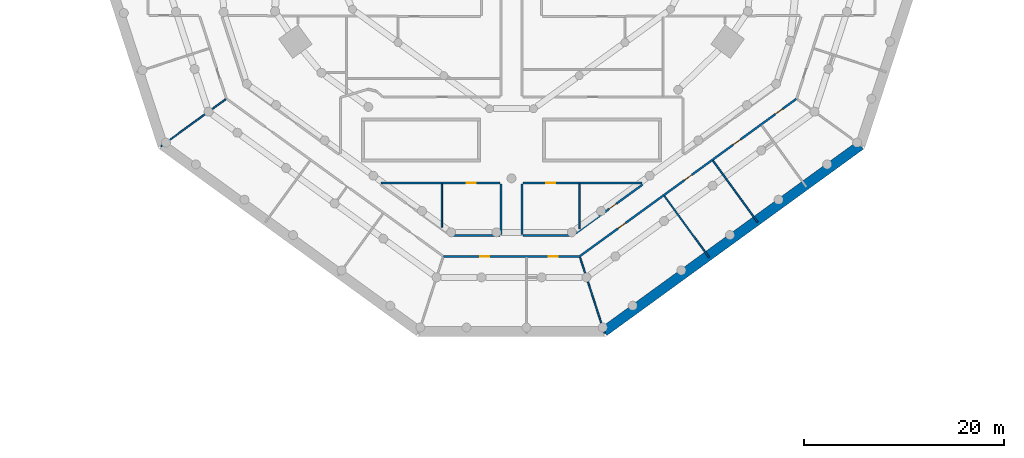
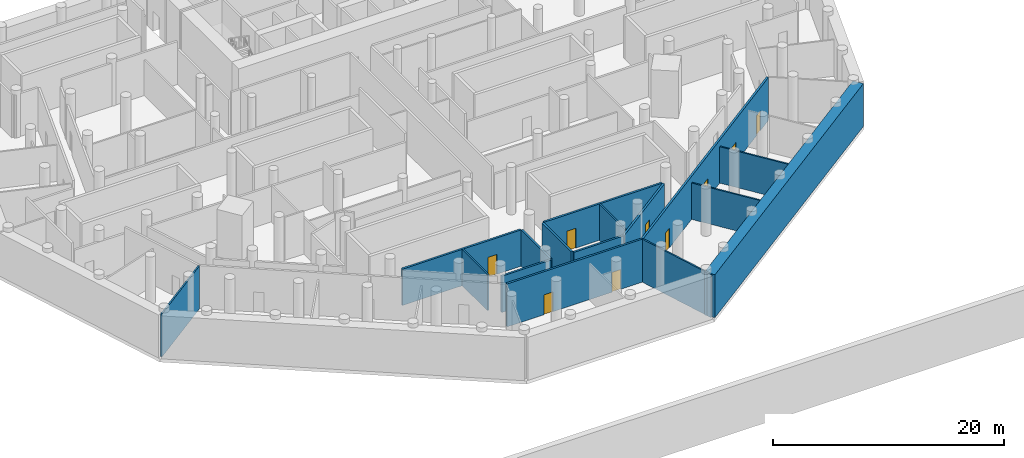
# One storey, part 5 of 10: 16 walls, 9 doors, 9 openings.
"""IFC4 building model written with IfcOpenShell, lengths in metres."""

from ifc_helpers import new_model, si_unit, direction, frame, frame_2d, origin, place, context, subcontext, project, spatial, rectangle, extrude, material, layer, layer_set, type_object, element, fill, save


model = new_model("IFC4")

# Units and contexts
model_context = context("Model", 3, precision=1e-05, world=origin(), true_north=direction((0.0, 1.0)))
body_context = subcontext(model_context, "Body", "Model", "MODEL_VIEW")
ifc_project = project(units=[si_unit("LENGTHUNIT", "METRE"), si_unit("AREAUNIT", "SQUARE_METRE"), si_unit("VOLUMEUNIT", "CUBIC_METRE"), si_unit("PLANEANGLEUNIT", "RADIAN"), si_unit("MASSUNIT", "GRAM", prefix="KILO")], contexts=[model_context])

# Site, building, storey
site_placement = place(None, origin())
site = spatial("IfcSite", under=ifc_project, at=site_placement, CompositionType="ELEMENT")
building_placement = place(site_placement, origin())
building = spatial("IfcBuilding", under=site, at=building_placement, Name="White Candle Pilgrim Tower", CompositionType="ELEMENT")
storey_placement = place(building_placement, frame((0.0, 0.0, -5.0)))
storey = spatial("IfcBuildingStorey", under=building, at=storey_placement, Name="B1", CompositionType="ELEMENT", Elevation=-5.0)

# Wall, openings, doors
ifc_material_1 = material(Name="Gypsum board on steel studs", Category="steel")
ifc_layer_1 = layer(ifc_material_1, 0.199951171875)
ifc_layer_set_1 = layer_set([ifc_layer_1], Name="Corridor wall 200 mm EI 45")
wall_type_1 = type_object("IfcWallType", Name="Corridor wall 200 mm EI 45", PredefinedType="PARTITIONING", material=ifc_layer_set_1)
wall_1_placement = place(storey_placement, frame((98.437255859375, 47.578857421875, 0.0), z_axis=(0.0, 0.0, 1.0), x_axis=(-0.809016646189, -0.587785731529, 0.0)))
wall_1 = element("IfcWall", 1, at=wall_1_placement, inside=storey, type_object=wall_type_1, Name="WL-B1-P021", PredefinedType="PARTITIONING", context=body_context, shape_type="SweptSolid", body=[
    extrude(rectangle(XDim=26.708251953125, YDim=0.199951171875, at=frame_2d((13.35400390625, 0.0))), origin(), (0.0, 0.0, 1.0), 4.550048828125),
])
opening_1_placement = place(wall_1_placement, frame((21.097412109375, 0.0, 0.0)))
opening_1 = element("IfcOpeningElement", 2, at=opening_1_placement, cuts=wall_1, Name="Opening B1-112", PredefinedType="OPENING", context=body_context, shape_type="SweptSolid", body=[
    extrude(rectangle(XDim=0.89990234375, YDim=2.10009765625, at=frame_2d((0.449951171875, 1.050048828125))), frame((0.0, 0.10986328125, 0.0), z_axis=(0.0, -1.0, 0.0), x_axis=(1.0, 0.0, 0.0)), (0.0, 0.0, 1.0), 0.219970703125),
])
opening_2_placement = place(wall_1_placement, frame((12.904052734375, 0.0, 0.0)))
opening_2 = element("IfcOpeningElement", 3, at=opening_2_placement, cuts=wall_1, Name="Opening B1-113", PredefinedType="OPENING", context=body_context, shape_type="SweptSolid", body=[
    extrude(rectangle(XDim=0.89990234375, YDim=2.10009765625, at=frame_2d((0.449951171875, 1.050048828125))), frame((0.0, 0.10986328125, 0.0), z_axis=(0.0, -1.0, 0.0), x_axis=(1.0, 0.0, 0.0)), (0.0, 0.0, 1.0), 0.219970703125),
])
opening_3_placement = place(wall_1_placement, frame((6.904052734375, 0.0, 0.0)))
opening_3 = element("IfcOpeningElement", 4, at=opening_3_placement, cuts=wall_1, Name="Opening B1-114", PredefinedType="OPENING", context=body_context, shape_type="SweptSolid", body=[
    extrude(rectangle(XDim=0.89990234375, YDim=2.10009765625, at=frame_2d((0.449951171875, 1.050048828125))), frame((0.0, 0.10986328125, 0.0), z_axis=(0.0, -1.0, 0.0), x_axis=(1.0, 0.0, 0.0)), (0.0, 0.0, 1.0), 0.219970703125),
])
opening_4_placement = place(wall_1_placement, frame((1.710693359375, 0.0, 0.0)))
opening_4 = element("IfcOpeningElement", 5, at=opening_4_placement, cuts=wall_1, Name="Opening B1-115", PredefinedType="OPENING", context=body_context, shape_type="SweptSolid", body=[
    extrude(rectangle(XDim=0.89990234375, YDim=2.10009765625, at=frame_2d((0.449951171875, 1.050048828125))), frame((0.0, 0.10986328125, 0.0), z_axis=(0.0, -1.0, 0.0), x_axis=(1.0, 0.0, 0.0)), (0.0, 0.0, 1.0), 0.219970703125),
])
ifc_material_2 = material(Name="Steel door leaf", Category="steel")
door_type = type_object("IfcDoorType", Name="Fire door 900 x 2100 EI 30", OperationType="NOTDEFINED", PredefinedType="DOOR", material=ifc_material_2)
door_1_placement = place(opening_1_placement, origin())
door_1 = element("IfcDoor", 6, at=door_1_placement, inside=storey, type_object=door_type, Name="Door B1-112", OperationType="SINGLE_SWING_RIGHT", OverallHeight=2.10009765625, OverallWidth=0.89990234375, PredefinedType="DOOR", context=body_context, shape_type="SweptSolid", body=[
    extrude(rectangle(XDim=0.89990234375, YDim=2.10009765625, at=frame_2d((0.449951171875, 1.050048828125))), frame((0.0, 0.02490234375, 0.0), z_axis=(0.0, -1.0, 0.0), x_axis=(1.0, 0.0, 0.0)), (0.0, 0.0, 1.0), 0.050048828125),
])
fill(opening_1, door_1)
door_2_placement = place(opening_2_placement, origin())
door_2 = element("IfcDoor", 7, at=door_2_placement, inside=storey, type_object=door_type, Name="Door B1-113", OperationType="SINGLE_SWING_LEFT", OverallHeight=2.10009765625, OverallWidth=0.89990234375, PredefinedType="DOOR", context=body_context, shape_type="SweptSolid", body=[
    extrude(rectangle(XDim=0.89990234375, YDim=2.10009765625, at=frame_2d((0.449951171875, 1.050048828125))), frame((0.0, 0.02490234375, 0.0), z_axis=(0.0, -1.0, 0.0), x_axis=(1.0, 0.0, 0.0)), (0.0, 0.0, 1.0), 0.050048828125),
])
fill(opening_2, door_2)
door_3_placement = place(opening_3_placement, origin())
door_3 = element("IfcDoor", 8, at=door_3_placement, inside=storey, type_object=door_type, Name="Door B1-114", OperationType="SINGLE_SWING_RIGHT", OverallHeight=2.10009765625, OverallWidth=0.89990234375, PredefinedType="DOOR", context=body_context, shape_type="SweptSolid", body=[
    extrude(rectangle(XDim=0.89990234375, YDim=2.10009765625, at=frame_2d((0.449951171875, 1.050048828125))), frame((0.0, 0.02490234375, 0.0), z_axis=(0.0, -1.0, 0.0), x_axis=(1.0, 0.0, 0.0)), (0.0, 0.0, 1.0), 0.050048828125),
])
fill(opening_3, door_3)
door_4_placement = place(opening_4_placement, origin())
door_4 = element("IfcDoor", 9, at=door_4_placement, inside=storey, type_object=door_type, Name="Door B1-115", OperationType="SINGLE_SWING_LEFT", OverallHeight=2.10009765625, OverallWidth=0.89990234375, PredefinedType="DOOR", context=body_context, shape_type="SweptSolid", body=[
    extrude(rectangle(XDim=0.89990234375, YDim=2.10009765625, at=frame_2d((0.449951171875, 1.050048828125))), frame((0.0, 0.02490234375, 0.0), z_axis=(0.0, -1.0, 0.0), x_axis=(1.0, 0.0, 0.0)), (0.0, 0.0, 1.0), 0.050048828125),
])
fill(opening_4, door_4)

wall_2_placement = place(storey_placement, frame((76.77099609375, 31.861083984375, 0.0), z_axis=(0.0, 0.0, 1.0), x_axis=(-1.0, 0.0, 0.0)))
wall_2 = element("IfcWall", 10, at=wall_2_placement, inside=storey, type_object=wall_type_1, Name="WL-B1-P022", PredefinedType="PARTITIONING", context=body_context, shape_type="SweptSolid", body=[
    extrude(rectangle(XDim=13.5419921875, YDim=0.199951171875, at=frame_2d((6.77099609375, 0.0))), origin(), (0.0, 0.0, 1.0), 4.550048828125),
])
opening_5_placement = place(wall_2_placement, frame((8.972900390625, 0.0, 0.0)))
opening_5 = element("IfcOpeningElement", 11, at=opening_5_placement, cuts=wall_2, Name="Opening B1-110", PredefinedType="OPENING", context=body_context, shape_type="SweptSolid", body=[
    extrude(rectangle(XDim=0.89990234375, YDim=2.10009765625, at=frame_2d((0.449951171875, 1.050048828125))), frame((0.0, 0.10986328125, 0.0), z_axis=(0.0, -1.0, 0.0), x_axis=(1.0, 0.0, 0.0)), (0.0, 0.0, 1.0), 0.219970703125),
])
opening_6_placement = place(wall_2_placement, frame((2.169189453125, 0.0, 0.0)))
opening_6 = element("IfcOpeningElement", 12, at=opening_6_placement, cuts=wall_2, Name="Opening B1-111", PredefinedType="OPENING", context=body_context, shape_type="SweptSolid", body=[
    extrude(rectangle(XDim=0.89990234375, YDim=2.10009765625, at=frame_2d((0.449951171875, 1.050048828125))), frame((0.0, 0.10986328125, 0.0), z_axis=(0.0, -1.0, 0.0), x_axis=(1.0, 0.0, 0.0)), (0.0, 0.0, 1.0), 0.219970703125),
])
door_5_placement = place(opening_5_placement, origin())
door_5 = element("IfcDoor", 13, at=door_5_placement, inside=storey, type_object=door_type, Name="Door B1-110", OperationType="SINGLE_SWING_RIGHT", OverallHeight=2.10009765625, OverallWidth=0.89990234375, PredefinedType="DOOR", context=body_context, shape_type="SweptSolid", body=[
    extrude(rectangle(XDim=0.89990234375, YDim=2.10009765625, at=frame_2d((0.449951171875, 1.050048828125))), frame((0.0, 0.02490234375, 0.0), z_axis=(0.0, -1.0, 0.0), x_axis=(1.0, 0.0, 0.0)), (0.0, 0.0, 1.0), 0.050048828125),
])
fill(opening_5, door_5)
door_6_placement = place(opening_6_placement, origin())
door_6 = element("IfcDoor", 14, at=door_6_placement, inside=storey, type_object=door_type, Name="Door B1-111", OperationType="SINGLE_SWING_LEFT", OverallHeight=2.10009765625, OverallWidth=0.89990234375, PredefinedType="DOOR", context=body_context, shape_type="SweptSolid", body=[
    extrude(rectangle(XDim=0.89990234375, YDim=2.10009765625, at=frame_2d((0.449951171875, 1.050048828125))), frame((0.0, 0.02490234375, 0.0), z_axis=(0.0, -1.0, 0.0), x_axis=(1.0, 0.0, 0.0)), (0.0, 0.0, 1.0), 0.050048828125),
])
fill(opening_6, door_6)

# Wall, opening, door
wall_3_placement = place(storey_placement, frame((76.147705078125, 33.980224609375, 0.0), z_axis=(0.0, 0.0, 1.0), x_axis=(0.809015553327, 0.58778723572, 0.0)))
wall_3 = element("IfcWall", 15, at=wall_3_placement, inside=storey, type_object=wall_type_1, Name="WL-B1-P036", PredefinedType="PARTITIONING", context=body_context, shape_type="SweptSolid", body=[
    extrude(rectangle(XDim=8.572509765625, YDim=0.199951171875, at=frame_2d((4.2861328125, 0.0))), origin(), (0.0, 0.0, 1.0), 3.85009765625),
])
opening_7_placement = place(wall_3_placement, frame((4.4716796875, 0.0, 0.0)))
opening_7 = element("IfcOpeningElement", 16, at=opening_7_placement, cuts=wall_3, Name="Opening B1-134", PredefinedType="OPENING", context=body_context, shape_type="SweptSolid", body=[
    extrude(rectangle(XDim=0.89990234375, YDim=2.10009765625, at=frame_2d((0.449951171875, 1.050048828125))), frame((0.0, 0.10986328125, 0.0), z_axis=(0.0, -1.0, 0.0), x_axis=(1.0, 0.0, 0.0)), (0.0, 0.0, 1.0), 0.219970703125),
])
door_7_placement = place(opening_7_placement, origin())
door_7 = element("IfcDoor", 17, at=door_7_placement, inside=storey, type_object=door_type, Name="Door B1-134", OperationType="SINGLE_SWING_RIGHT", OverallHeight=2.10009765625, OverallWidth=0.89990234375, PredefinedType="DOOR", context=body_context, shape_type="SweptSolid", body=[
    extrude(rectangle(XDim=0.89990234375, YDim=2.10009765625, at=frame_2d((0.449951171875, 1.050048828125))), frame((0.0, 0.02490234375, 0.0), z_axis=(0.0, -1.0, 0.0), x_axis=(1.0, 0.0, 0.0)), (0.0, 0.0, 1.0), 0.050048828125),
])
fill(opening_7, door_7)

wall_4_placement = place(storey_placement, frame((83.0244140625, 39.199951171875, 0.0), z_axis=(0.0, 0.0, 1.0), x_axis=(-1.0, 0.0, 0.0)))
wall_4 = element("IfcWall", 18, at=wall_4_placement, inside=storey, type_object=wall_type_1, Name="WL-B1-P037", PredefinedType="PARTITIONING", context=body_context, shape_type="SweptSolid", body=[
    extrude(rectangle(XDim=11.87451171875, YDim=0.199951171875, at=frame_2d((5.937255859375, 0.0))), origin(), (0.0, 0.0, 1.0), 3.85009765625),
])
opening_8_placement = place(wall_4_placement, frame((8.6669921875, 0.0, 0.0)))
opening_8 = element("IfcOpeningElement", 19, at=opening_8_placement, cuts=wall_4, Name="Opening B1-133", PredefinedType="OPENING", context=body_context, shape_type="SweptSolid", body=[
    extrude(rectangle(XDim=0.89990234375, YDim=2.10009765625, at=frame_2d((0.449951171875, 1.050048828125))), frame((0.0, 0.10986328125, 0.0), z_axis=(0.0, -1.0, 0.0), x_axis=(1.0, 0.0, 0.0)), (0.0, 0.0, 1.0), 0.219970703125),
])
door_8_placement = place(opening_8_placement, origin())
door_8 = element("IfcDoor", 20, at=door_8_placement, inside=storey, type_object=door_type, Name="Door B1-133", OperationType="SINGLE_SWING_LEFT", OverallHeight=2.10009765625, OverallWidth=0.89990234375, PredefinedType="DOOR", context=body_context, shape_type="SweptSolid", body=[
    extrude(rectangle(XDim=0.89990234375, YDim=2.10009765625, at=frame_2d((0.449951171875, 1.050048828125))), frame((0.0, 0.02490234375, 0.0), z_axis=(0.0, -1.0, 0.0), x_axis=(1.0, 0.0, 0.0)), (0.0, 0.0, 1.0), 0.050048828125),
])
fill(opening_8, door_8)

# Walls
wall_5_placement = place(storey_placement, frame((71.050048828125, 39.10009765625, 0.0), z_axis=(0.0, 0.0, 1.0), x_axis=(0.0, -1.0, 0.0)))
element("IfcWall", 21, at=wall_5_placement, inside=storey, type_object=wall_type_1, Name="WL-B1-P038", PredefinedType="PARTITIONING", context=body_context, shape_type="SweptSolid", body=[
    extrude(rectangle(XDim=5.0390625, YDim=0.199951171875, at=frame_2d((2.51953125, 0.0))), origin(), (0.0, 0.0, 1.0), 3.85009765625),
])
wall_6_placement = place(storey_placement, frame((71.14990234375, 33.961181640625, 0.0), z_axis=(0.0, 0.0, 1.0), x_axis=(1.0, 0.0, 0.0)))
element("IfcWall", 22, at=wall_6_placement, inside=storey, type_object=wall_type_1, Name="WL-B1-P039", PredefinedType="PARTITIONING", context=body_context, shape_type="SweptSolid", body=[
    extrude(rectangle(XDim=4.93896484375, YDim=0.199951171875, at=frame_2d((2.469482421875, 0.0))), origin(), (0.0, 0.0, 1.0), 3.85009765625),
])
wall_7_placement = place(storey_placement, frame((68.949951171875, 34.06103515625, 0.0), z_axis=(0.0, 0.0, 1.0), x_axis=(0.0, 1.0, 0.0)))
element("IfcWall", 23, at=wall_7_placement, inside=storey, type_object=wall_type_1, Name="WL-B1-P055", PredefinedType="PARTITIONING", context=body_context, shape_type="SweptSolid", body=[
    extrude(rectangle(XDim=5.0390625, YDim=0.199951171875, at=frame_2d((2.51953125, 0.0))), origin(), (0.0, 0.0, 1.0), 3.85009765625),
])

# Wall, opening, door
wall_8_placement = place(storey_placement, frame((68.85009765625, 39.199951171875, 0.0), z_axis=(0.0, 0.0, 1.0), x_axis=(-1.0, 0.0, 0.0)))
wall_8 = element("IfcWall", 24, at=wall_8_placement, inside=storey, type_object=wall_type_1, Name="WL-B1-P056", PredefinedType="PARTITIONING", context=body_context, shape_type="SweptSolid", body=[
    extrude(rectangle(XDim=11.87451171875, YDim=0.199951171875, at=frame_2d((5.937255859375, 0.0))), origin(), (0.0, 0.0, 1.0), 3.85009765625),
])
opening_9_placement = place(wall_8_placement, frame((2.406005859375, 0.0, 0.0)))
opening_9 = element("IfcOpeningElement", 25, at=opening_9_placement, cuts=wall_8, Name="Opening B1-136", PredefinedType="OPENING", context=body_context, shape_type="SweptSolid", body=[
    extrude(rectangle(XDim=0.89990234375, YDim=2.10009765625, at=frame_2d((0.449951171875, 1.050048828125))), frame((0.0, 0.10986328125, 0.0), z_axis=(0.0, -1.0, 0.0), x_axis=(1.0, 0.0, 0.0)), (0.0, 0.0, 1.0), 0.219970703125),
])
door_9_placement = place(opening_9_placement, origin())
door_9 = element("IfcDoor", 26, at=door_9_placement, inside=storey, type_object=door_type, Name="Door B1-136", OperationType="SINGLE_SWING_RIGHT", OverallHeight=2.10009765625, OverallWidth=0.89990234375, PredefinedType="DOOR", context=body_context, shape_type="SweptSolid", body=[
    extrude(rectangle(XDim=0.89990234375, YDim=2.10009765625, at=frame_2d((0.449951171875, 1.050048828125))), frame((0.0, 0.02490234375, 0.0), z_axis=(0.0, -1.0, 0.0), x_axis=(1.0, 0.0, 0.0)), (0.0, 0.0, 1.0), 0.050048828125),
])
fill(opening_9, door_9)

# Walls
wall_9_placement = place(storey_placement, frame((63.9111328125, 33.961181640625, 0.0), z_axis=(0.0, 0.0, 1.0), x_axis=(1.0, 0.0, 0.0)))
element("IfcWall", 27, at=wall_9_placement, inside=storey, type_object=wall_type_1, Name="WL-B1-P058", PredefinedType="PARTITIONING", context=body_context, shape_type="SweptSolid", body=[
    extrude(rectangle(XDim=4.93896484375, YDim=0.199951171875, at=frame_2d((2.469482421875, 0.0))), origin(), (0.0, 0.0, 1.0), 3.85009765625),
])
ifc_material_3 = material(Name="Concrete C40/50", Category="concrete")
ifc_layer_2 = layer(ifc_material_3, 1.0)
ifc_layer_set_2 = layer_set([ifc_layer_2], Name="Diaphragm wall 1000")
wall_type_2 = type_object("IfcWallType", Name="Diaphragm wall 1000", PredefinedType="SOLIDWALL", material=ifc_layer_set_2)
wall_10_placement = place(storey_placement, frame((104.843505859375, 42.962646484375, 0.0), z_axis=(0.0, 0.0, 1.0), x_axis=(-0.809018883304, -0.587782652396, 0.0)))
element("IfcWall", 28, at=wall_10_placement, inside=storey, type_object=wall_type_2, Name="Diaphragm wall B1-02", PredefinedType="SOLIDWALL", context=body_context, shape_type="SweptSolid", body=[
    extrude(rectangle(XDim=31.64697265625, YDim=1.0, at=frame_2d((15.823486328125, 0.0))), origin(), (0.0, 0.0, 1.0), 4.550048828125),
])
ifc_layer_3 = layer(ifc_material_1, 0.14990234375)
ifc_layer_set_3 = layer_set([ifc_layer_3], Name="Partition 150 mm EI 60")
wall_type_3 = type_object("IfcWallType", Name="Partition 150 mm EI 60", PredefinedType="PARTITIONING", material=ifc_layer_set_3)
for number, where, z_axis, x_axis, name in (
    (29, (35.00341796875, 42.851318359375, 0.0), (0.0, 0.0, 1.0), (0.809022705267, 0.587777391843, 0.0), "WL-B1-P060"),
    (30, (79.299072265625, 24.18115234375, 0.0), (0.0, 0.0, 1.0), (-0.309032181924, 0.951051581427, 0.0), "WL-B1-P062"),
):
    element("IfcWall", number, at=place(storey_placement, frame(where, z_axis=z_axis, x_axis=x_axis)), inside=storey, type_object=wall_type_3, Name=name, PredefinedType="PARTITIONING", context=body_context, shape_type="SweptSolid", body=[
        extrude(rectangle(XDim=7.990234375, YDim=0.14990234375, at=frame_2d((3.9951171875, 0.0))), origin(), (0.0, 0.0, 1.0), 4.550048828125),
    ])
for number, where, z_axis, x_axis, name in (
    (31, (89.720703125, 31.7529296875, 0.0), (0.0, 0.0, 1.0), (-0.587779028788, 0.809021515979, 0.0), "WL-B1-P072"),
    (32, (94.57470703125, 35.279541015625, 0.0), (0.0, 0.0, 1.0), (-0.587779028788, 0.809021515979, 0.0), "WL-B1-P073"),
):
    element("IfcWall", number, at=place(storey_placement, frame(where, z_axis=z_axis, x_axis=x_axis)), inside=storey, type_object=wall_type_3, Name=name, PredefinedType="PARTITIONING", context=body_context, shape_type="SweptSolid", body=[
        extrude(rectangle(XDim=7.579833984375, YDim=0.14990234375, at=frame_2d((3.7900390625, 0.0))), origin(), (0.0, 0.0, 1.0), 3.85009765625),
    ])
wall_11_placement = place(storey_placement, frame((76.7646484375, 34.606689453125, 0.0), z_axis=(0.0, 0.0, 1.0), x_axis=(0.0, 1.0, 0.0)))
element("IfcWall", 33, at=wall_11_placement, inside=storey, type_object=wall_type_3, Name="WL-B1-P088", PredefinedType="PARTITIONING", context=body_context, shape_type="SweptSolid", body=[
    extrude(rectangle(XDim=4.493408203125, YDim=0.14990234375, at=frame_2d((2.24658203125, 0.0))), origin(), (0.0, 0.0, 1.0), 3.85009765625),
])
wall_12_placement = place(storey_placement, frame((63.0380859375, 34.749755859375, 0.0), z_axis=(0.0, 0.0, 1.0), x_axis=(0.0, 1.0, 0.0)))
element("IfcWall", 34, at=wall_12_placement, inside=storey, type_object=wall_type_3, Name="WL-B1-P089", PredefinedType="PARTITIONING", context=body_context, shape_type="SweptSolid", body=[
    extrude(rectangle(XDim=4.350341796875, YDim=0.14990234375, at=frame_2d((2.17529296875, 0.0))), origin(), (0.0, 0.0, 1.0), 3.85009765625),
])

save(model, "model.ifc")
